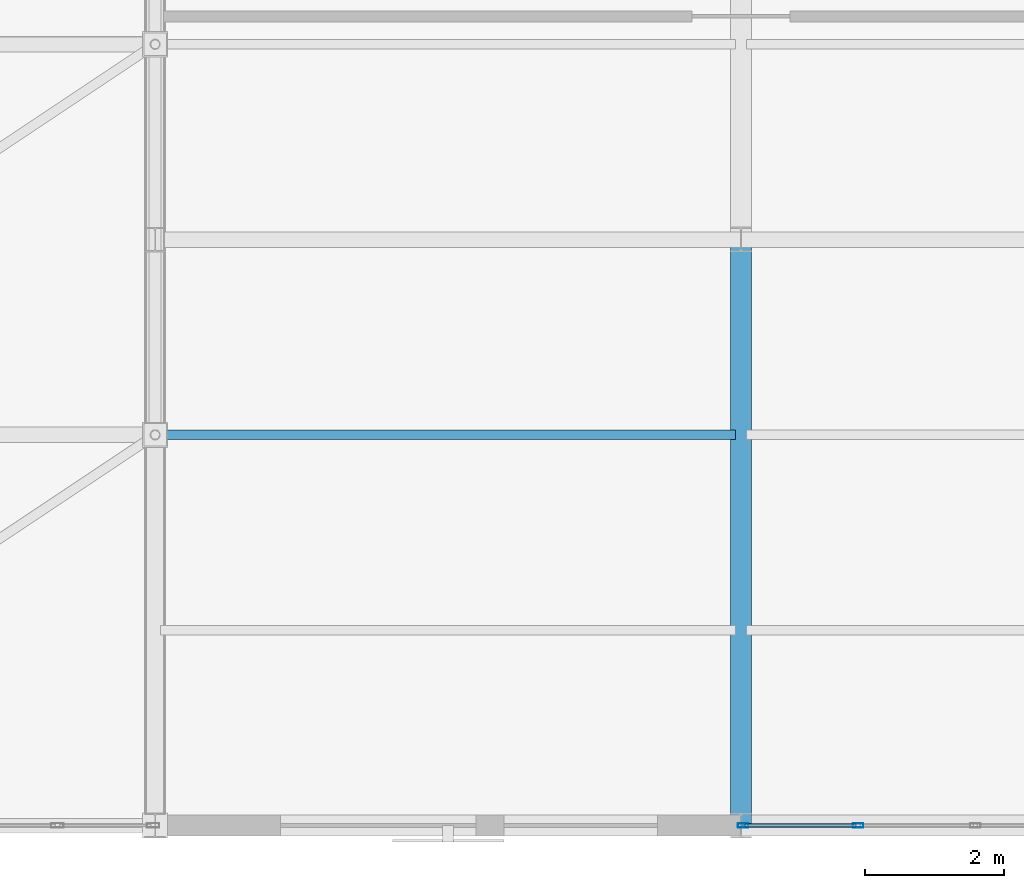
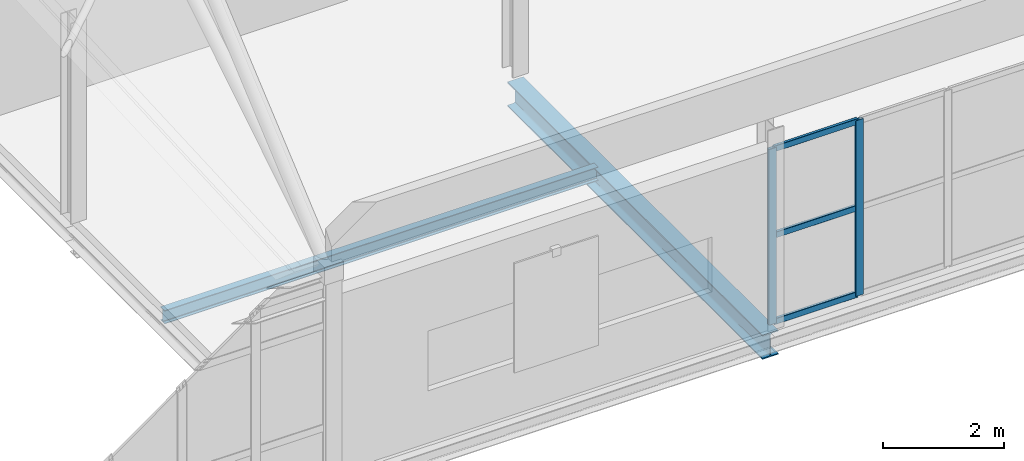
# One storey, part 85 of 184: 5 members, 2 beams, 1 element without a shape of its own.
"""IFC4 building model written with IfcOpenShell, lengths in metres."""

from ifc_helpers import new_model, si_unit, direction, frame, origin, origin_2d, place, context, subcontext, project, spatial, hollow_rectangle, i_section, extrude, material, layer, layer_set, material_profile, profile_set, type_object, element, aggregate, save


model = new_model("IFC4")

# Units and contexts
model_context = context("Model", 3, precision=1e-05, world=origin(), true_north=direction((0.0, 1.0)))
body_context = subcontext(model_context, "Body", "Model", "MODEL_VIEW")
ifc_project = project(units=[si_unit("LENGTHUNIT", "METRE"), si_unit("AREAUNIT", "SQUARE_METRE"), si_unit("VOLUMEUNIT", "CUBIC_METRE"), si_unit("PLANEANGLEUNIT", "RADIAN"), si_unit("MASSUNIT", "GRAM", prefix="KILO")], contexts=[model_context])

# Site, building, storey
site_placement = place(None, origin())
site = spatial("IfcSite", under=ifc_project, at=site_placement, CompositionType="ELEMENT")
building_placement = place(site_placement, origin())
building = spatial("IfcBuilding", under=site, at=building_placement, Name="Qalvenar Corner Mobility Hub", CompositionType="ELEMENT")
storey_placement = place(building_placement, frame((0.0, 0.0, 9.0)))
storey = spatial("IfcBuildingStorey", under=building, at=storey_placement, Name="L02", CompositionType="ELEMENT", Elevation=9.0)

# Beams
ifc_material_1 = material(Name="Steel S355", Category="steel")
ifc_material_profile_1 = material_profile(ifc_material_1, i_section(OverallWidth=0.300048828125, OverallDepth=0.489990234375, WebThickness=0.011962890625, FlangeThickness=0.02294921875, FilletRadius=0.027099609375, at=origin_2d()), Name="HEA500")
ifc_profile_set_1 = profile_set([ifc_material_profile_1], Name="Steel S355")
beam_type_1 = type_object("IfcBeamType", Name="BM-HEA500", PredefinedType="BEAM", material=ifc_profile_set_1)
beam_1_placement = place(storey_placement, frame((117.60009765625, 0.0, -0.425048828125), z_axis=(0.0, 1.0, 0.0), x_axis=(-1.0, 0.0, 0.0)))
element("IfcBeam", 1, at=beam_1_placement, inside=storey, type_object=beam_type_1, Name="Primary Steel Girder GY-1716", PredefinedType="BEAM", context=body_context, shape_type="SweptSolid", body=[
    extrude(i_section(OverallWidth=0.300048828125, OverallDepth=0.489990234375, WebThickness=0.011962890625, FlangeThickness=0.02294921875, FilletRadius=0.027099609375, at=origin_2d()), origin(), (0.0, 0.0, 1.0), 8.39990234375),
])
ifc_material_profile_2 = material_profile(ifc_material_1, i_section(OverallWidth=0.135009765625, OverallDepth=0.27001953125, WebThickness=0.006591796875, FlangeThickness=0.01025390625, FilletRadius=0.014892578125, at=origin_2d()), Name="IPE270")
ifc_profile_set_2 = profile_set([ifc_material_profile_2], Name="Steel S355")
beam_type_2 = type_object("IfcBeamType", Name="BM-JST270", PredefinedType="JOIST", material=ifc_profile_set_2)
beam_2_placement = place(storey_placement, frame((109.278076171875, 5.60009765625, -0.31494140625), z_axis=(1.0, 0.0, 0.0), x_axis=(0.0, 1.0, 0.0)))
element("IfcBeam", 2, at=beam_2_placement, inside=storey, type_object=beam_type_2, Name="Composite Floor Joist J-1752", PredefinedType="JOIST", context=body_context, shape_type="SweptSolid", body=[
    extrude(i_section(OverallWidth=0.135009765625, OverallDepth=0.27001953125, WebThickness=0.006591796875, FlangeThickness=0.01025390625, FilletRadius=0.014892578125, at=origin_2d()), origin(), (0.0, 0.0, 1.0), 8.243896484375),
])

# Curtain wall, members
ifc_material_2 = material(Name="Anodised Aluminium and Low-E Glazing", Category="aluminium")
ifc_layer = layer(ifc_material_2, 0.14990234375)
ifc_layer_set = layer_set([ifc_layer], Name="Anodised Aluminium and Low-E Glazing")
curtain_wall_type = type_object("IfcCurtainWallType", Name="CW-WKS-84X44", PredefinedType="NOTDEFINED", material=ifc_layer_set)
curtain_wall_placement = place(storey_placement, origin())
curtain_wall = element("IfcCurtainWall", 3, at=curtain_wall_placement, inside=storey, type_object=curtain_wall_type, Name="Glazed Curtain Wall CW-V6-L02-S1", PredefinedType="NOTDEFINED")
ifc_material_3 = material(Name="Anodised Aluminium 6063-T6", Category="aluminium")
ifc_material_profile_3 = material_profile(ifc_material_3, hollow_rectangle(XDim=0.06005859375, YDim=0.14990234375, WallThickness=0.00390625, InnerFilletRadius=0.00390625, OuterFilletRadius=0.008056640625, at=origin_2d()), Name="RHS150x60x4")
ifc_profile_set_3 = profile_set([ifc_material_profile_3], Name="Anodised Aluminium 6063-T6")
member_type_1 = type_object("IfcMemberType", Name="CW-MUL150", PredefinedType="MULLION", material=ifc_profile_set_3)
member_1_placement = place(storey_placement, frame((117.6298828125, 0.0, 0.0), z_axis=(0.0, 0.0, 1.0), x_axis=(0.0, 1.0, 0.0)))
member_1 = element("IfcMember", 4, at=member_1_placement, type_object=member_type_1, Name="CW-09 mullion 1", PredefinedType="MULLION", context=body_context, shape_type="SweptSolid", body=[
    extrude(hollow_rectangle(XDim=0.06005859375, YDim=0.14990234375, WallThickness=0.00390625, InnerFilletRadius=0.00390625, OuterFilletRadius=0.008056640625, at=origin_2d()), origin(), (0.0, 0.0, 1.0), 3.530029296875),
])
member_2_placement = place(storey_placement, frame((119.280029296875, 0.0, 0.0), z_axis=(0.0, 0.0, 1.0), x_axis=(0.0, 1.0, 0.0)))
member_2 = element("IfcMember", 5, at=member_2_placement, type_object=member_type_1, Name="CW-09 mullion 2", PredefinedType="MULLION", context=body_context, shape_type="SweptSolid", body=[
    extrude(hollow_rectangle(XDim=0.06005859375, YDim=0.14990234375, WallThickness=0.00390625, InnerFilletRadius=0.00390625, OuterFilletRadius=0.008056640625, at=origin_2d()), origin(), (0.0, 0.0, 1.0), 3.530029296875),
])
ifc_material_profile_4 = material_profile(ifc_material_3, hollow_rectangle(XDim=0.054931640625, YDim=0.1201171875, WallThickness=0.00341796875, InnerFilletRadius=0.00341796875, OuterFilletRadius=0.007080078125, at=origin_2d()), Name="RHS120x55x3.5")
ifc_profile_set_4 = profile_set([ifc_material_profile_4], Name="Anodised Aluminium 6063-T6")
member_type_2 = type_object("IfcMemberType", Name="CW-TRN120", PredefinedType="USERDEFINED", material=ifc_profile_set_4)
member_3_placement = place(storey_placement, frame((117.659912109375, 0.0, 0.027587890625), z_axis=(1.0, 0.0, 0.0), x_axis=(0.0, 1.0, 0.0)))
member_3 = element("IfcMember", 6, at=member_3_placement, type_object=member_type_2, Name="CW-09 transom 1.1", ObjectType="TRANSOM", PredefinedType="USERDEFINED", context=body_context, shape_type="SweptSolid", body=[
    extrude(hollow_rectangle(XDim=0.054931640625, YDim=0.1201171875, WallThickness=0.00341796875, InnerFilletRadius=0.00341796875, OuterFilletRadius=0.007080078125, at=origin_2d()), origin(), (0.0, 0.0, 1.0), 1.590087890625),
])
member_4_placement = place(storey_placement, frame((117.659912109375, 0.0, 1.764892578125), z_axis=(1.0, 0.0, 0.0), x_axis=(0.0, 1.0, 0.0)))
member_4 = element("IfcMember", 7, at=member_4_placement, type_object=member_type_2, Name="CW-09 transom 1.2", ObjectType="TRANSOM", PredefinedType="USERDEFINED", context=body_context, shape_type="SweptSolid", body=[
    extrude(hollow_rectangle(XDim=0.054931640625, YDim=0.1201171875, WallThickness=0.00341796875, InnerFilletRadius=0.00341796875, OuterFilletRadius=0.007080078125, at=origin_2d()), origin(), (0.0, 0.0, 1.0), 1.590087890625),
])
member_5_placement = place(storey_placement, frame((117.659912109375, 0.0, 3.50244140625), z_axis=(1.0, 0.0, 0.0), x_axis=(0.0, 1.0, 0.0)))
member_5 = element("IfcMember", 8, at=member_5_placement, type_object=member_type_2, Name="CW-09 transom 1.3", ObjectType="TRANSOM", PredefinedType="USERDEFINED", context=body_context, shape_type="SweptSolid", body=[
    extrude(hollow_rectangle(XDim=0.054931640625, YDim=0.1201171875, WallThickness=0.00341796875, InnerFilletRadius=0.00341796875, OuterFilletRadius=0.007080078125, at=origin_2d()), origin(), (0.0, 0.0, 1.0), 1.590087890625),
])
aggregate(curtain_wall, [member_1, member_2, member_3, member_4, member_5])

save(model, "model.ifc")
